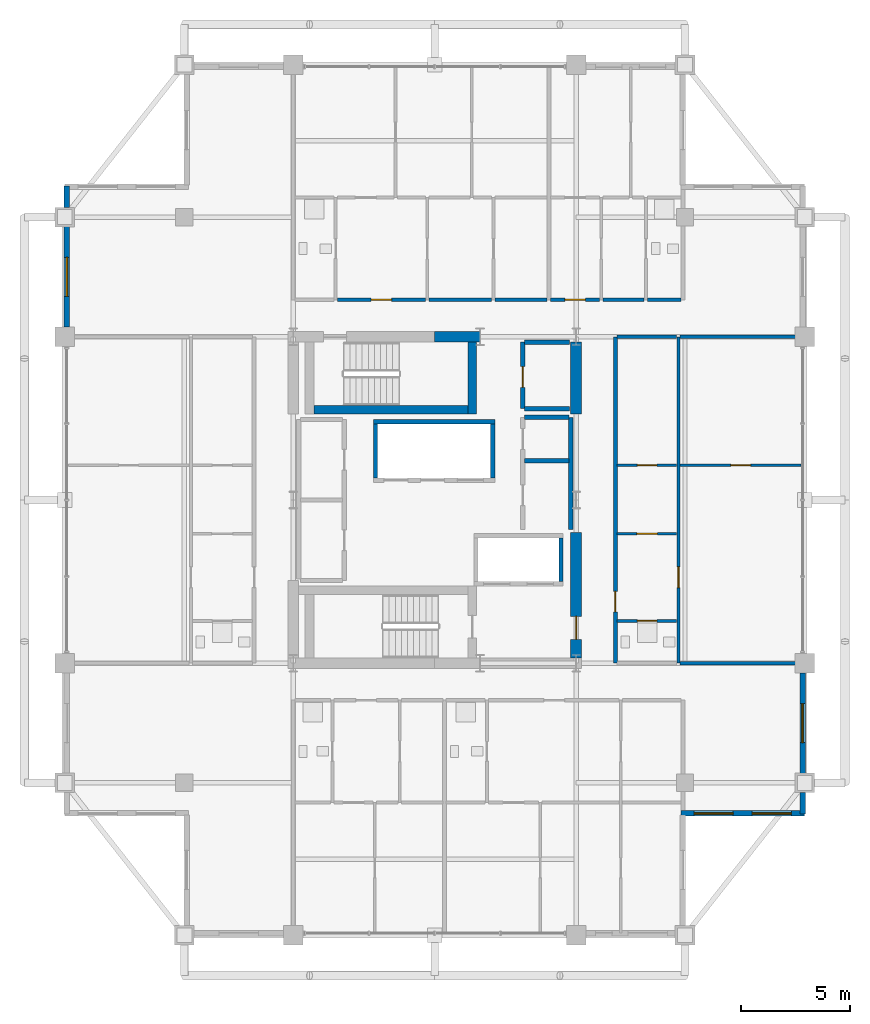
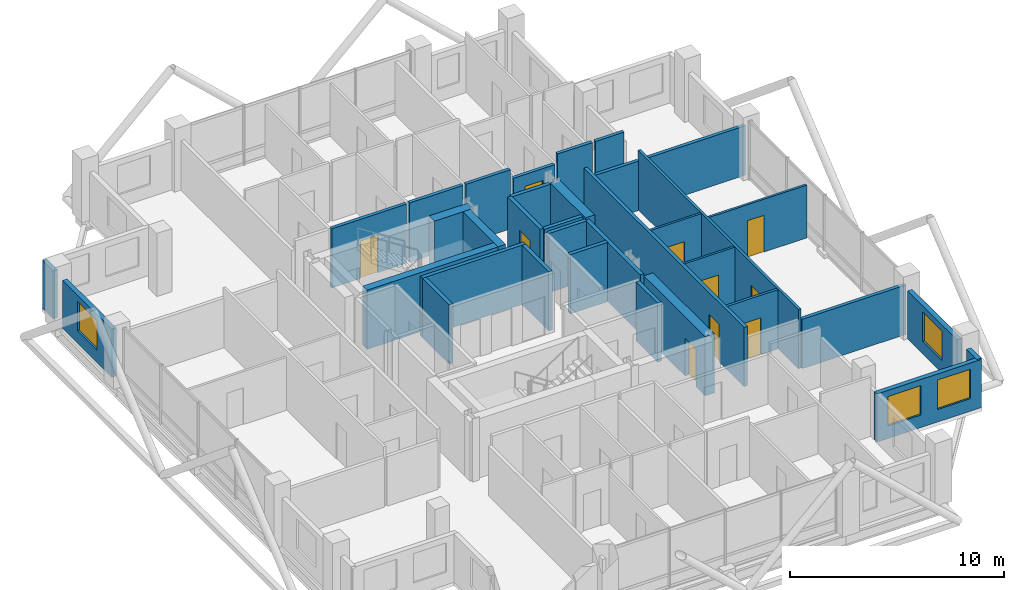
# One storey, part 21 of 25: 35 walls, 10 doors, 4 windows, 14 openings.
"""IFC4 building model written with IfcOpenShell, lengths in metres."""

from ifc_helpers import new_model, si_unit, direction, frame, frame_2d, origin, place, context, subcontext, project, spatial, rectangle, extrude, material, layer, layer_set, type_object, element, fill, save


model = new_model("IFC4")

# Units and contexts
model_context = context("Model", 3, precision=1e-05, world=origin(), true_north=direction((0.0, 1.0)))
body_context = subcontext(model_context, "Body", "Model", "MODEL_VIEW")
ifc_project = project(units=[si_unit("LENGTHUNIT", "METRE"), si_unit("AREAUNIT", "SQUARE_METRE"), si_unit("VOLUMEUNIT", "CUBIC_METRE"), si_unit("PLANEANGLEUNIT", "RADIAN"), si_unit("MASSUNIT", "GRAM", prefix="KILO")], contexts=[model_context])

# Site, building, storey
site_placement = place(None, origin())
site = spatial("IfcSite", under=ifc_project, at=site_placement, CompositionType="ELEMENT")
building_placement = place(site_placement, origin())
building = spatial("IfcBuilding", under=site, at=building_placement, Name="Barlavira Tower and Art Museum", CompositionType="ELEMENT")
storey_placement = place(building_placement, frame((0.0, 0.0, 229.5)))
storey = spatial("IfcBuildingStorey", under=building, at=storey_placement, Name="L59", CompositionType="ELEMENT", Elevation=229.5)

# Wall, opening, door
ifc_material_1 = material(Name="Gypsum acoustic stud partition", Category="gypsum")
ifc_layer_1 = layer(ifc_material_1, 0.1201171875, Name="Gypsum acoustic stud partition")
ifc_layer_set_1 = layer_set([ifc_layer_1], Name="Gypsum acoustic stud partition")
wall_type_1 = type_object("IfcWallType", Name="Apartment Internal Acoustic Partition 120", PredefinedType="PARTITIONING", material=ifc_layer_set_1)
wall_1_placement = place(storey_placement, frame((8.3798828125, -1.550048828125, 0.0), z_axis=(0.0, 0.0, 1.0), x_axis=(1.0, 0.0, 0.0)))
wall_1 = element("IfcWall", 1, at=wall_1_placement, inside=storey, type_object=wall_type_1, Name="L59 Partition Wall 52", PredefinedType="PARTITIONING", context=body_context, shape_type="SweptSolid", body=[
    extrude(rectangle(XDim=2.740234375, YDim=0.1201171875, at=frame_2d((1.3701171875, 0.0))), origin(), (0.0, 0.0, 1.0), 3.3798828125),
])
opening_1_placement = place(wall_1_placement, frame((0.905029296875, 0.0, 0.0)))
opening_1 = element("IfcOpeningElement", 2, at=opening_1_placement, cuts=wall_1, Name="Opening D-02", PredefinedType="OPENING", context=body_context, shape_type="SweptSolid", body=[
    extrude(rectangle(XDim=0.949951171875, YDim=2.10009765625, at=frame_2d((0.47509765625, 1.050048828125))), frame((0.0, 0.070068359375, 0.0), z_axis=(0.0, -1.0, 0.0), x_axis=(1.0, 0.0, 0.0)), (0.0, 0.0, 1.0), 0.14013671875),
])
ifc_material_2 = material(Name="Engineered coastal hardwood", Category="wood")
door_type_1 = type_object("IfcDoorType", Name="Living and Salon Glazed-Leaf Door 950x2100", OperationType="NOTDEFINED", PredefinedType="DOOR", material=ifc_material_2)
door_1_placement = place(opening_1_placement, origin())
door_1 = element("IfcDoor", 3, at=door_1_placement, inside=storey, type_object=door_type_1, Name="Apartment E1 Kitchen Door", OperationType="SINGLE_SWING_LEFT", OverallHeight=2.10009765625, OverallWidth=0.949951171875, PredefinedType="DOOR", context=body_context, shape_type="SweptSolid", body=[
    extrude(rectangle(XDim=0.949951171875, YDim=2.10009765625, at=frame_2d((0.47509765625, 1.050048828125))), frame((0.0, 0.02490234375, 0.0), z_axis=(0.0, -1.0, 0.0), x_axis=(1.0, 0.0, 0.0)), (0.0, 0.0, 1.0), 0.050048828125),
])
fill(opening_1, door_1)

wall_2_placement = place(storey_placement, frame((8.3798828125, 1.60009765625, 0.0), z_axis=(0.0, 0.0, 1.0), x_axis=(1.0, 0.0, 0.0)))
wall_2 = element("IfcWall", 4, at=wall_2_placement, inside=storey, type_object=wall_type_1, Name="L59 Partition Wall 56", PredefinedType="PARTITIONING", context=body_context, shape_type="SweptSolid", body=[
    extrude(rectangle(XDim=2.740234375, YDim=0.1201171875, at=frame_2d((1.3701171875, 0.0))), origin(), (0.0, 0.0, 1.0), 3.3798828125),
])
opening_2_placement = place(wall_2_placement, frame((0.929931640625, 0.0, 0.0)))
opening_2 = element("IfcOpeningElement", 5, at=opening_2_placement, cuts=wall_2, Name="Opening D-01", PredefinedType="OPENING", context=body_context, shape_type="SweptSolid", body=[
    extrude(rectangle(XDim=0.89990234375, YDim=2.10009765625, at=frame_2d((0.449951171875, 1.050048828125))), frame((0.0, 0.070068359375, 0.0), z_axis=(0.0, -1.0, 0.0), x_axis=(1.0, 0.0, 0.0)), (0.0, 0.0, 1.0), 0.14013671875),
])
door_type_2 = type_object("IfcDoorType", Name="Internal Bedroom Timber Flush Door 900x2100", OperationType="NOTDEFINED", PredefinedType="DOOR", material=ifc_material_2)
door_2_placement = place(opening_2_placement, origin())
door_2 = element("IfcDoor", 6, at=door_2_placement, inside=storey, type_object=door_type_2, Name="Apartment E1 Walk-In Dressing Room Door", OperationType="SINGLE_SWING_RIGHT", OverallHeight=2.10009765625, OverallWidth=0.89990234375, PredefinedType="DOOR", context=body_context, shape_type="SweptSolid", body=[
    extrude(rectangle(XDim=0.89990234375, YDim=2.10009765625, at=frame_2d((0.449951171875, 1.050048828125))), frame((0.0, 0.02490234375, 0.0), z_axis=(0.0, -1.0, 0.0), x_axis=(1.0, 0.0, 0.0)), (0.0, 0.0, 1.0), 0.050048828125),
])
fill(opening_2, door_2)

wall_3_placement = place(storey_placement, frame((11.280029296875, 1.60009765625, 0.0), z_axis=(0.0, 0.0, 1.0), x_axis=(1.0, 0.0, 0.0)))
wall_3 = element("IfcWall", 7, at=wall_3_placement, inside=storey, type_object=wall_type_1, Name="L59 Partition Wall 57", PredefinedType="PARTITIONING", context=body_context, shape_type="SweptSolid", body=[
    extrude(rectangle(XDim=5.5400390625, YDim=0.1201171875, at=frame_2d((2.77001953125, 0.0))), origin(), (0.0, 0.0, 1.0), 3.01806640625),
])
opening_3_placement = place(wall_3_placement, frame((2.330078125, 0.0, 0.0)))
opening_3 = element("IfcOpeningElement", 8, at=opening_3_placement, cuts=wall_3, Name="Opening D-01", PredefinedType="OPENING", context=body_context, shape_type="SweptSolid", body=[
    extrude(rectangle(XDim=0.89990234375, YDim=2.10009765625, at=frame_2d((0.449951171875, 1.050048828125))), frame((0.0, 0.070068359375, 0.0), z_axis=(0.0, -1.0, 0.0), x_axis=(1.0, 0.0, 0.0)), (0.0, 0.0, 1.0), 0.14013671875),
])
door_3_placement = place(opening_3_placement, origin())
door_3 = element("IfcDoor", 9, at=door_3_placement, inside=storey, type_object=door_type_2, Name="Apartment E1 Bedroom 1 Door", OperationType="SINGLE_SWING_RIGHT", OverallHeight=2.10009765625, OverallWidth=0.89990234375, PredefinedType="DOOR", context=body_context, shape_type="SweptSolid", body=[
    extrude(rectangle(XDim=0.89990234375, YDim=2.10009765625, at=frame_2d((0.449951171875, 1.050048828125))), frame((0.0, 0.02490234375, 0.0), z_axis=(0.0, -1.0, 0.0), x_axis=(1.0, 0.0, 0.0)), (0.0, 0.0, 1.0), 0.050048828125),
])
fill(opening_3, door_3)

# Wall
ifc_material_3 = material(Name="Concrete C60", Category="concrete")
ifc_layer_2 = layer(ifc_material_3, 0.5, Name="Concrete C60")
ifc_layer_set_2 = layer_set([ifc_layer_2], Name="Concrete C60")
wall_type_2 = type_object("IfcWallType", Name="Core Structural Shear Wall 500 Concrete C60", PredefinedType="SHEAR", material=ifc_layer_set_2)
wall_4_placement = place(storey_placement, frame((0.0, 7.5, 0.0), z_axis=(0.0, 0.0, 1.0), x_axis=(1.0, 0.0, 0.0)))
element("IfcWall", 10, at=wall_4_placement, inside=storey, type_object=wall_type_2, Name="L59 Core Shear Wall CS-EN", PredefinedType="SHEAR", context=body_context, shape_type="SweptSolid", body=[
    extrude(rectangle(XDim=2.080078125, YDim=0.5, at=frame_2d((1.0400390625, 0.0))), origin(), (0.0, 0.0, 1.0), 3.3798828125),
])

# Wall, opening, door
wall_5_placement = place(storey_placement, frame((6.5, -7.25, 0.0), z_axis=(0.0, 0.0, 1.0), x_axis=(0.0, 1.0, 0.0)))
wall_5 = element("IfcWall", 11, at=wall_5_placement, inside=storey, type_object=wall_type_2, Name="L59 Core Shear Wall CS-E1", PredefinedType="SHEAR", context=body_context, shape_type="SweptSolid", body=[
    extrude(rectangle(XDim=5.75, YDim=0.5, at=frame_2d((2.875, 0.0))), origin(), (0.0, 0.0, 1.0), 3.3798828125),
])
opening_4_placement = place(wall_5_placement, frame((0.85009765625, 0.0, 0.0)))
opening_4 = element("IfcOpeningElement", 12, at=opening_4_placement, cuts=wall_5, Name="Opening FD-90", PredefinedType="OPENING", context=body_context, shape_type="SweptSolid", body=[
    extrude(rectangle(XDim=1.050048828125, YDim=2.14990234375, at=frame_2d((0.52490234375, 1.074951171875))), frame((0.0, 0.260009765625, 0.0), z_axis=(0.0, -1.0, 0.0), x_axis=(1.0, 0.0, 0.0)), (0.0, 0.0, 1.0), 0.52001953125),
])
ifc_material_4 = material(Name="Brushed stainless steel", Category="steel")
door_type_3 = type_object("IfcDoorType", Name="Stair and Refuge Fire Door 1050x2150 FD90S", OperationType="NOTDEFINED", PredefinedType="DOOR", material=ifc_material_4)
door_4_placement = place(opening_4_placement, origin())
door_4 = element("IfcDoor", 13, at=door_4_placement, inside=storey, type_object=door_type_3, Name="L59 Firefighting Lobby Entry Fire Door", OperationType="SINGLE_SWING_LEFT", OverallHeight=2.14990234375, OverallWidth=1.050048828125, PredefinedType="DOOR", context=body_context, shape_type="SweptSolid", body=[
    extrude(rectangle(XDim=1.050048828125, YDim=2.14990234375, at=frame_2d((0.52490234375, 1.074951171875))), frame((0.0, 0.02490234375, 0.0), z_axis=(0.0, -1.0, 0.0), x_axis=(1.0, 0.0, 0.0)), (0.0, 0.0, 1.0), 0.050048828125),
])
fill(opening_4, door_4)

# Walls
wall_6_placement = place(storey_placement, frame((6.5, 3.949951171875, 0.0), z_axis=(0.0, 0.0, 1.0), x_axis=(0.0, 1.0, 0.0)))
element("IfcWall", 14, at=wall_6_placement, inside=storey, type_object=wall_type_2, Name="L59 Core Shear Wall CS-E2", PredefinedType="SHEAR", context=body_context, shape_type="SweptSolid", body=[
    extrude(rectangle(XDim=3.300048828125, YDim=0.5, at=frame_2d((1.64990234375, 0.0))), origin(), (0.0, 0.0, 1.0), 3.3798828125),
])
ifc_material_5 = material(Name="Autoclaved aerated concrete masonry", Category="masonry")
ifc_layer_3 = layer(ifc_material_5, 0.199951171875, Name="Autoclaved aerated concrete masonry")
ifc_layer_set_3 = layer_set([ifc_layer_3], Name="Autoclaved aerated concrete masonry")
wall_type_3 = type_object("IfcWallType", Name="Fire Compartment and Shaft Wall 200", PredefinedType="SOLIDWALL", material=ifc_layer_set_3)
wall_7_placement = place(storey_placement, frame((-2.820068359375, 3.60009765625, 0.0), z_axis=(0.0, 0.0, 1.0), x_axis=(1.0, 0.0, 0.0)))
element("IfcWall", 15, at=wall_7_placement, inside=storey, type_object=wall_type_3, Name="L59 High-Rise & Service Lift Back Wall", PredefinedType="SOLIDWALL", context=body_context, shape_type="SweptSolid", body=[
    extrude(rectangle(XDim=5.580078125, YDim=0.199951171875, at=frame_2d((2.7900390625, 0.0))), origin(), (0.0, 0.0, 1.0), 3.3798828125),
])
for number, where, z_axis, x_axis, name in (
    (16, (-2.719970703125, 1.0, 0.0), (0.0, 0.0, 1.0), (0.0, 1.0, 0.0), "L59 High-Rise & Service Lift West Wall"),
    (17, (2.659912109375, 1.0, 0.0), (0.0, 0.0, 1.0), (0.0, 1.0, 0.0), "L59 High-Rise & Service Lift East Wall"),
):
    element("IfcWall", number, at=place(storey_placement, frame(where, z_axis=z_axis, x_axis=x_axis)), inside=storey, type_object=wall_type_3, Name=name, PredefinedType="SOLIDWALL", context=body_context, shape_type="SweptSolid", body=[
        extrude(rectangle(XDim=2.5, YDim=0.199951171875, at=frame_2d((1.25, 0.0))), origin(), (0.0, 0.0, 1.0), 3.3798828125),
    ])
wall_8_placement = place(storey_placement, frame((5.800048828125, -3.75, 0.0), z_axis=(0.0, 0.0, 1.0), x_axis=(0.0, 1.0, 0.0)))
element("IfcWall", 18, at=wall_8_placement, inside=storey, type_object=wall_type_3, Name="L59 Firefighting Lift East Shaft Wall", PredefinedType="SOLIDWALL", context=body_context, shape_type="SweptSolid", body=[
    extrude(rectangle(XDim=2.0, YDim=0.199951171875, at=frame_2d((1.0, 0.0))), origin(), (0.0, 0.0, 1.0), 3.3798828125),
])

# Wall, opening, door
wall_9_placement = place(storey_placement, frame((4.050048828125, 4.199951171875, 0.0), z_axis=(0.0, 0.0, 1.0), x_axis=(0.0, 1.0, 0.0)))
wall_9 = element("IfcWall", 19, at=wall_9_placement, inside=storey, type_object=wall_type_3, Name="L59 Partition Wall 18", PredefinedType="SOLIDWALL", context=body_context, shape_type="SweptSolid", body=[
    extrude(rectangle(XDim=3.050048828125, YDim=0.199951171875, at=frame_2d((1.52490234375, 0.0))), origin(), (0.0, 0.0, 1.0), 3.3798828125),
])
opening_5_placement = place(wall_9_placement, frame((0.97509765625, 0.0, 0.0)))
opening_5 = element("IfcOpeningElement", 20, at=opening_5_placement, cuts=wall_9, Name="Opening FD-60", PredefinedType="OPENING", context=body_context, shape_type="SweptSolid", body=[
    extrude(rectangle(XDim=0.949951171875, YDim=2.14990234375, at=frame_2d((0.47509765625, 1.074951171875))), frame((0.0, 0.10986328125, 0.0), z_axis=(0.0, -1.0, 0.0), x_axis=(1.0, 0.0, 0.0)), (0.0, 0.0, 1.0), 0.219970703125),
])
door_type_4 = type_object("IfcDoorType", Name="Apartment Entrance and Riser Fire Door 950x2150 FD60S", OperationType="NOTDEFINED", PredefinedType="DOOR", material=ifc_material_4)
door_5_placement = place(opening_5_placement, origin())
door_5 = element("IfcDoor", 21, at=door_5_placement, inside=storey, type_object=door_type_4, Name="Combined Electrical and Telecom Plant Room Door", OperationType="SINGLE_SWING_LEFT", OverallHeight=2.14990234375, OverallWidth=0.949951171875, PredefinedType="DOOR", context=body_context, shape_type="SweptSolid", body=[
    extrude(rectangle(XDim=0.949951171875, YDim=2.14990234375, at=frame_2d((0.47509765625, 1.074951171875))), frame((0.0, 0.02490234375, 0.0), z_axis=(0.0, -1.0, 0.0), x_axis=(1.0, 0.0, 0.0)), (0.0, 0.0, 1.0), 0.050048828125),
])
fill(opening_5, door_5)

# Walls
wall_10_placement = place(storey_placement, frame((6.25, -1.35009765625, 0.0), z_axis=(0.0, 0.0, 1.0), x_axis=(0.0, 1.0, 0.0)))
element("IfcWall", 22, at=wall_10_placement, inside=storey, type_object=wall_type_3, Name="L59 Partition Wall 21", PredefinedType="SOLIDWALL", context=body_context, shape_type="SweptSolid", body=[
    extrude(rectangle(XDim=5.150146484375, YDim=0.199951171875, at=frame_2d((2.5751953125, 0.0))), origin(), (0.0, 0.0, 1.0), 3.3798828125),
])
for number, where, z_axis, x_axis, name in (
    (23, (4.1298828125, 1.800048828125, 0.0), (0.0, 0.0, 1.0), (1.0, 0.0, 0.0), "L59 Partition Wall 58"),
    (24, (4.1298828125, 3.800048828125, 0.0), (0.0, 0.0, 1.0), (1.0, 0.0, 0.0), "L59 Partition Wall 60"),
):
    element("IfcWall", number, at=place(storey_placement, frame(where, z_axis=z_axis, x_axis=x_axis)), inside=storey, type_object=wall_type_3, Name=name, PredefinedType="SOLIDWALL", context=body_context, shape_type="SweptSolid", body=[
        extrude(rectangle(XDim=2.0400390625, YDim=0.199951171875, at=frame_2d((1.02001953125, 0.0))), origin(), (0.0, 0.0, 1.0), 3.3798828125),
    ])
for number, where, z_axis, x_axis, name in (
    (25, (4.1298828125, 4.199951171875, 0.0), (0.0, 0.0, 1.0), (1.0, 0.0, 0.0), "L59 Partition Wall 61"),
    (26, (4.1298828125, 7.25, 0.0), (0.0, 0.0, 1.0), (1.0, 0.0, 0.0), "L59 Partition Wall 62"),
):
    element("IfcWall", number, at=place(storey_placement, frame(where, z_axis=z_axis, x_axis=x_axis)), inside=storey, type_object=wall_type_3, Name=name, PredefinedType="SOLIDWALL", context=body_context, shape_type="SweptSolid", body=[
        extrude(rectangle(XDim=2.070068359375, YDim=0.199951171875, at=frame_2d((1.03515625, 0.0))), origin(), (0.0, 0.0, 1.0), 3.3798828125),
    ])

# Wall, opening, door
ifc_layer_4 = layer(ifc_material_1, 0.179931640625, Name="Gypsum acoustic stud partition")
ifc_layer_set_4 = layer_set([ifc_layer_4], Name="Gypsum acoustic stud partition")
wall_type_4 = type_object("IfcWallType", Name="Inter-Tenancy Party Partition Wall 180", PredefinedType="PARTITIONING", material=ifc_layer_set_4)
wall_11_placement = place(storey_placement, frame((8.300048828125, -7.5, 0.0), z_axis=(0.0, 0.0, 1.0), x_axis=(0.0, 1.0, 0.0)))
wall_11 = element("IfcWall", 27, at=wall_11_placement, inside=storey, type_object=wall_type_4, Name="L59 Partition Wall 23", PredefinedType="PARTITIONING", context=body_context, shape_type="SweptSolid", body=[
    extrude(rectangle(XDim=15.0, YDim=0.179931640625, at=frame_2d((7.5, 0.0))), origin(), (0.0, 0.0, 1.0), 3.3798828125),
])
opening_6_placement = place(wall_11_placement, frame((2.35498046875, 0.0, 0.0)))
opening_6 = element("IfcOpeningElement", 28, at=opening_6_placement, cuts=wall_11, Name="Opening FD-60", PredefinedType="OPENING", context=body_context, shape_type="SweptSolid", body=[
    extrude(rectangle(XDim=0.949951171875, YDim=2.14990234375, at=frame_2d((0.47509765625, 1.074951171875))), frame((0.0, 0.10009765625, 0.0), z_axis=(0.0, -1.0, 0.0), x_axis=(1.0, 0.0, 0.0)), (0.0, 0.0, 1.0), 0.199951171875),
])
door_6_placement = place(opening_6_placement, origin())
door_6 = element("IfcDoor", 29, at=door_6_placement, inside=storey, type_object=door_type_4, Name="Apartment Entrance Hall E1 Door", OperationType="SINGLE_SWING_RIGHT", OverallHeight=2.14990234375, OverallWidth=0.949951171875, PredefinedType="DOOR", context=body_context, shape_type="SweptSolid", body=[
    extrude(rectangle(XDim=0.949951171875, YDim=2.14990234375, at=frame_2d((0.47509765625, 1.074951171875))), frame((0.0, 0.02490234375, 0.0), z_axis=(0.0, -1.0, 0.0), x_axis=(1.0, 0.0, 0.0)), (0.0, 0.0, 1.0), 0.050048828125),
])
fill(opening_6, door_6)

# Walls
wall_12_placement = place(storey_placement, frame((11.280029296875, -7.5, 0.0), z_axis=(0.0, 0.0, 1.0), x_axis=(1.0, 0.0, 0.0)))
element("IfcWall", 30, at=wall_12_placement, inside=storey, type_object=wall_type_4, Name="L59 Partition Wall 47", PredefinedType="PARTITIONING", context=body_context, shape_type="SweptSolid", body=[
    extrude(rectangle(XDim=5.619873046875, YDim=0.179931640625, at=frame_2d((2.81005859375, 0.0))), origin(), (0.0, 0.0, 1.0), 2.825927734375),
])
wall_13_placement = place(storey_placement, frame((8.3798828125, 7.5, 0.0), z_axis=(0.0, 0.0, 1.0), x_axis=(1.0, 0.0, 0.0)))
element("IfcWall", 31, at=wall_13_placement, inside=storey, type_object=wall_type_4, Name="L59 Partition Wall 65", PredefinedType="PARTITIONING", context=body_context, shape_type="SweptSolid", body=[
    extrude(rectangle(XDim=2.740234375, YDim=0.179931640625, at=frame_2d((1.3701171875, 0.0))), origin(), (0.0, 0.0, 1.0), 2.825927734375),
])
wall_14_placement = place(storey_placement, frame((11.280029296875, 7.5, 0.0), z_axis=(0.0, 0.0, 1.0), x_axis=(1.0, 0.0, 0.0)))
element("IfcWall", 32, at=wall_14_placement, inside=storey, type_object=wall_type_4, Name="L59 Partition Wall 66", PredefinedType="PARTITIONING", context=body_context, shape_type="SweptSolid", body=[
    extrude(rectangle(XDim=5.619873046875, YDim=0.179931640625, at=frame_2d((2.81005859375, 0.0))), origin(), (0.0, 0.0, 1.0), 2.825927734375),
])

# Wall, opening, door
wall_15_placement = place(storey_placement, frame((-4.469970703125, 9.199951171875, 0.0), z_axis=(0.0, 0.0, 1.0), x_axis=(1.0, 0.0, 0.0)))
wall_15 = element("IfcWall", 33, at=wall_15_placement, inside=storey, type_object=wall_type_4, Name="L59 Partition Wall 68", PredefinedType="PARTITIONING", context=body_context, shape_type="SweptSolid", body=[
    extrude(rectangle(XDim=4.0400390625, YDim=0.179931640625, at=frame_2d((2.02001953125, 0.0))), origin(), (0.0, 0.0, 1.0), 3.3798828125),
])
opening_7_placement = place(wall_15_placement, frame((1.544921875, 0.0, 0.0)))
opening_7 = element("IfcOpeningElement", 34, at=opening_7_placement, cuts=wall_15, Name="Opening FD-60", PredefinedType="OPENING", context=body_context, shape_type="SweptSolid", body=[
    extrude(rectangle(XDim=0.949951171875, YDim=2.14990234375, at=frame_2d((0.47509765625, 1.074951171875))), frame((0.0, 0.10009765625, 0.0), z_axis=(0.0, -1.0, 0.0), x_axis=(1.0, 0.0, 0.0)), (0.0, 0.0, 1.0), 0.199951171875),
])
door_7_placement = place(opening_7_placement, origin())
door_7 = element("IfcDoor", 35, at=door_7_placement, inside=storey, type_object=door_type_4, Name="Apartment Entrance Hall N1 Door", OperationType="SINGLE_SWING_RIGHT", OverallHeight=2.14990234375, OverallWidth=0.949951171875, PredefinedType="DOOR", context=body_context, shape_type="SweptSolid", body=[
    extrude(rectangle(XDim=0.949951171875, YDim=2.14990234375, at=frame_2d((0.47509765625, 1.074951171875))), frame((0.0, 0.02490234375, 0.0), z_axis=(0.0, -1.0, 0.0), x_axis=(1.0, 0.0, 0.0)), (0.0, 0.0, 1.0), 0.050048828125),
])
fill(opening_7, door_7)

# Walls
wall_16_placement = place(storey_placement, frame((-0.27001953125, 9.199951171875, 0.0), z_axis=(0.0, 0.0, 1.0), x_axis=(1.0, 0.0, 0.0)))
element("IfcWall", 36, at=wall_16_placement, inside=storey, type_object=wall_type_4, Name="L59 Partition Wall 69", PredefinedType="PARTITIONING", context=body_context, shape_type="SweptSolid", body=[
    extrude(rectangle(XDim=2.89013671875, YDim=0.179931640625, at=frame_2d((1.445068359375, 0.0))), origin(), (0.0, 0.0, 1.0), 3.3798828125),
])
wall_17_placement = place(storey_placement, frame((2.780029296875, 9.199951171875, 0.0), z_axis=(0.0, 0.0, 1.0), x_axis=(1.0, 0.0, 0.0)))
element("IfcWall", 37, at=wall_17_placement, inside=storey, type_object=wall_type_4, Name="L59 Partition Wall 70", PredefinedType="PARTITIONING", context=body_context, shape_type="SweptSolid", body=[
    extrude(rectangle(XDim=2.389892578125, YDim=0.179931640625, at=frame_2d((1.19482421875, 0.0))), origin(), (0.0, 0.0, 1.0), 3.3798828125),
])

# Wall, opening, door
wall_18_placement = place(storey_placement, frame((5.330078125, 9.199951171875, 0.0), z_axis=(0.0, 0.0, 1.0), x_axis=(1.0, 0.0, 0.0)))
wall_18 = element("IfcWall", 38, at=wall_18_placement, inside=storey, type_object=wall_type_4, Name="L59 Partition Wall 71", PredefinedType="PARTITIONING", context=body_context, shape_type="SweptSolid", body=[
    extrude(rectangle(XDim=2.239990234375, YDim=0.179931640625, at=frame_2d((1.1201171875, 0.0))), origin(), (0.0, 0.0, 1.0), 2.825927734375),
])
opening_8_placement = place(wall_18_placement, frame((0.64501953125, 0.0, 0.0)))
opening_8 = element("IfcOpeningElement", 39, at=opening_8_placement, cuts=wall_18, Name="Opening FD-60", PredefinedType="OPENING", context=body_context, shape_type="SweptSolid", body=[
    extrude(rectangle(XDim=0.949951171875, YDim=2.14990234375, at=frame_2d((0.47509765625, 1.074951171875))), frame((0.0, 0.10009765625, 0.0), z_axis=(0.0, -1.0, 0.0), x_axis=(1.0, 0.0, 0.0)), (0.0, 0.0, 1.0), 0.199951171875),
])
door_8_placement = place(opening_8_placement, origin())
door_8 = element("IfcDoor", 40, at=door_8_placement, inside=storey, type_object=door_type_4, Name="Apartment Entrance Hall N2 Door", OperationType="SINGLE_SWING_RIGHT", OverallHeight=2.14990234375, OverallWidth=0.949951171875, PredefinedType="DOOR", context=body_context, shape_type="SweptSolid", body=[
    extrude(rectangle(XDim=0.949951171875, YDim=2.14990234375, at=frame_2d((0.47509765625, 1.074951171875))), frame((0.0, 0.02490234375, 0.0), z_axis=(0.0, -1.0, 0.0), x_axis=(1.0, 0.0, 0.0)), (0.0, 0.0, 1.0), 0.050048828125),
])
fill(opening_8, door_8)

# Walls
wall_19_placement = place(storey_placement, frame((7.72998046875, 9.199951171875, 0.0), z_axis=(0.0, 0.0, 1.0), x_axis=(1.0, 0.0, 0.0)))
element("IfcWall", 41, at=wall_19_placement, inside=storey, type_object=wall_type_4, Name="L59 Partition Wall 72", PredefinedType="PARTITIONING", context=body_context, shape_type="SweptSolid", body=[
    extrude(rectangle(XDim=1.89013671875, YDim=0.179931640625, at=frame_2d((0.945068359375, 0.0))), origin(), (0.0, 0.0, 1.0), 3.3798828125),
])
wall_20_placement = place(storey_placement, frame((9.780029296875, 9.199951171875, 0.0), z_axis=(0.0, 0.0, 1.0), x_axis=(1.0, 0.0, 0.0)))
element("IfcWall", 42, at=wall_20_placement, inside=storey, type_object=wall_type_4, Name="L59 Partition Wall 73", PredefinedType="PARTITIONING", context=body_context, shape_type="SweptSolid", body=[
    extrude(rectangle(XDim=1.5400390625, YDim=0.179931640625, at=frame_2d((0.77001953125, 0.0))), origin(), (0.0, 0.0, 1.0), 3.3798828125),
])

# Wall, opening, door
ifc_layer_5 = layer(ifc_material_1, 0.139892578125, Name="Gypsum acoustic stud partition")
ifc_layer_set_5 = layer_set([ifc_layer_5], Name="Gypsum acoustic stud partition")
wall_type_5 = type_object("IfcWallType", Name="Moisture-Resistant Bathroom Partition 140", PredefinedType="PARTITIONING", material=ifc_layer_set_5)
wall_21_placement = place(storey_placement, frame((11.199951171875, -7.5, 0.0), z_axis=(0.0, 0.0, 1.0), x_axis=(0.0, 1.0, 0.0)))
wall_21 = element("IfcWall", 43, at=wall_21_placement, inside=storey, type_object=wall_type_5, Name="L59 Partition Wall 27", PredefinedType="PARTITIONING", context=body_context, shape_type="SweptSolid", body=[
    extrude(rectangle(XDim=15.0, YDim=0.139892578125, at=frame_2d((7.5, 0.0))), origin(), (0.0, 0.0, 1.0), 3.3798828125),
])
opening_9_placement = place(wall_21_placement, frame((3.47509765625, 0.0, 0.0)))
opening_9 = element("IfcOpeningElement", 44, at=opening_9_placement, cuts=wall_21, Name="Opening D-02", PredefinedType="OPENING", context=body_context, shape_type="SweptSolid", body=[
    extrude(rectangle(XDim=0.949951171875, YDim=2.10009765625, at=frame_2d((0.47509765625, 1.050048828125))), frame((0.0, 0.080078125, 0.0), z_axis=(0.0, -1.0, 0.0), x_axis=(1.0, 0.0, 0.0)), (0.0, 0.0, 1.0), 0.159912109375),
])
door_9_placement = place(opening_9_placement, origin())
door_9 = element("IfcDoor", 45, at=door_9_placement, inside=storey, type_object=door_type_1, Name="Apartment E1 Living Lounge Door", OperationType="SINGLE_SWING_LEFT", OverallHeight=2.10009765625, OverallWidth=0.949951171875, PredefinedType="DOOR", context=body_context, shape_type="SweptSolid", body=[
    extrude(rectangle(XDim=0.949951171875, YDim=2.10009765625, at=frame_2d((0.47509765625, 1.050048828125))), frame((0.0, 0.02490234375, 0.0), z_axis=(0.0, -1.0, 0.0), x_axis=(1.0, 0.0, 0.0)), (0.0, 0.0, 1.0), 0.050048828125),
])
fill(opening_9, door_9)

wall_22_placement = place(storey_placement, frame((8.3798828125, -5.550048828125, 0.0), z_axis=(0.0, 0.0, 1.0), x_axis=(1.0, 0.0, 0.0)))
wall_22 = element("IfcWall", 46, at=wall_22_placement, inside=storey, type_object=wall_type_5, Name="L59 Partition Wall 49", PredefinedType="PARTITIONING", context=body_context, shape_type="SweptSolid", body=[
    extrude(rectangle(XDim=2.740234375, YDim=0.139892578125, at=frame_2d((1.3701171875, 0.0))), origin(), (0.0, 0.0, 1.0), 3.3798828125),
])
opening_10_placement = place(wall_22_placement, frame((0.929931640625, 0.0, 0.0)))
opening_10 = element("IfcOpeningElement", 47, at=opening_10_placement, cuts=wall_22, Name="Opening D-WC", PredefinedType="OPENING", context=body_context, shape_type="SweptSolid", body=[
    extrude(rectangle(XDim=0.89990234375, YDim=2.10009765625, at=frame_2d((0.449951171875, 1.050048828125))), frame((0.0, 0.080078125, 0.0), z_axis=(0.0, -1.0, 0.0), x_axis=(1.0, 0.0, 0.0)), (0.0, 0.0, 1.0), 0.159912109375),
])
door_type_5 = type_object("IfcDoorType", Name="Accessible Bathroom Flush Door 900x2100", OperationType="NOTDEFINED", PredefinedType="DOOR", material=ifc_material_2)
door_10_placement = place(opening_10_placement, origin())
door_10 = element("IfcDoor", 48, at=door_10_placement, inside=storey, type_object=door_type_5, Name="Apartment E1 Hall Bathroom Door", OperationType="SINGLE_SWING_LEFT", OverallHeight=2.10009765625, OverallWidth=0.89990234375, PredefinedType="DOOR", context=body_context, shape_type="SweptSolid", body=[
    extrude(rectangle(XDim=0.89990234375, YDim=2.10009765625, at=frame_2d((0.449951171875, 1.050048828125))), frame((0.0, 0.02490234375, 0.0), z_axis=(0.0, -1.0, 0.0), x_axis=(1.0, 0.0, 0.0)), (0.0, 0.0, 1.0), 0.050048828125),
])
fill(opening_10, door_10)

# Wall
ifc_material_6 = material(Name="Precast concrete C40", Category="concrete")
ifc_layer_6 = layer(ifc_material_6, 0.25, Name="Precast concrete C40")
ifc_layer_set_6 = layer_set([ifc_layer_6], Name="Precast concrete C40")
wall_type_6 = type_object("IfcWallType", Name="Notched Corner Spandrel Wall 250 Precast Concrete C40", PredefinedType="SOLIDWALL", material=ifc_layer_set_6)
wall_23_placement = place(storey_placement, frame((-16.89990234375, 14.425048828125, 0.0), z_axis=(0.0, 0.0, 1.0), x_axis=(0.0, -1.0, 0.0)))
element("IfcWall", 49, at=wall_23_placement, inside=storey, type_object=wall_type_6, Name="L59 Coastal Facade Pier Wall CW4-L59-W-1", PredefinedType="SOLIDWALL", context=body_context, shape_type="SweptSolid", body=[
    extrude(rectangle(XDim=0.97998046875, YDim=0.25, at=frame_2d((0.489990234375, 0.0))), origin(), (0.0, 0.0, 1.0), 2.748046875),
])

# Wall, opening, window
wall_24_placement = place(storey_placement, frame((-16.89990234375, 12.554931640625, 0.0), z_axis=(0.0, 0.0, 1.0), x_axis=(0.0, -1.0, 0.0)))
wall_24 = element("IfcWall", 50, at=wall_24_placement, inside=storey, type_object=wall_type_6, Name="L59 Coastal Facade Pier Wall CW4-L59-W-2", PredefinedType="SOLIDWALL", context=body_context, shape_type="SweptSolid", body=[
    extrude(rectangle(XDim=4.60986328125, YDim=0.25, at=frame_2d((2.304931640625, 0.0))), origin(), (0.0, 0.0, 1.0), 2.748046875),
])
opening_11_placement = place(wall_24_placement, frame((1.405029296875, 0.0, 0.719970703125)))
opening_11 = element("IfcOpeningElement", 51, at=opening_11_placement, cuts=wall_24, Name="Opening WN-01", PredefinedType="OPENING", context=body_context, shape_type="SweptSolid", body=[
    extrude(rectangle(XDim=1.800048828125, YDim=1.679931640625, at=frame_2d((0.89990234375, 0.83984375))), frame((0.0, 0.135009765625, 0.0), z_axis=(0.0, -1.0, 0.0), x_axis=(1.0, 0.0, 0.0)), (0.0, 0.0, 1.0), 0.27001953125),
])
ifc_material_7 = material(Name="Low-iron coastal laminated glass", Category="glass")
window_type = type_object("IfcWindowType", Name="Recessed Notch Corner Punch Window 1800x1680", PartitioningType="SINGLE_PANEL", PredefinedType="WINDOW", material=ifc_material_7)
window_1_placement = place(opening_11_placement, origin())
window_1 = element("IfcWindow", 52, at=window_1_placement, inside=storey, type_object=window_type, Name="L59 Punched Facade Window EWP-CW4-L59-W-2-1", OverallHeight=1.679931640625, OverallWidth=1.800048828125, PartitioningType="SINGLE_PANEL", PredefinedType="WINDOW", context=body_context, shape_type="SweptSolid", body=[
    extrude(rectangle(XDim=1.800048828125, YDim=1.679931640625, at=frame_2d((0.89990234375, 0.83984375))), frame((0.0, 0.030029296875, 0.0), z_axis=(0.0, -1.0, 0.0), x_axis=(1.0, 0.0, 0.0)), (0.0, 0.0, 1.0), 0.06005859375),
])
fill(opening_11, window_1)

# Wall
wall_25_placement = place(storey_placement, frame((16.89990234375, -14.425048828125, 0.0), z_axis=(0.0, 0.0, 1.0), x_axis=(0.0, 1.0, 0.0)))
element("IfcWall", 53, at=wall_25_placement, inside=storey, type_object=wall_type_6, Name="L59 Coastal Facade Pier Wall CW4-L59-E-1", PredefinedType="SOLIDWALL", context=body_context, shape_type="SweptSolid", body=[
    extrude(rectangle(XDim=0.97998046875, YDim=0.25, at=frame_2d((0.489990234375, 0.0))), origin(), (0.0, 0.0, 1.0), 2.748046875),
])

# Wall, opening, window
wall_26_placement = place(storey_placement, frame((16.89990234375, -12.554931640625, 0.0), z_axis=(0.0, 0.0, 1.0), x_axis=(0.0, 1.0, 0.0)))
wall_26 = element("IfcWall", 54, at=wall_26_placement, inside=storey, type_object=wall_type_6, Name="L59 Coastal Facade Pier Wall CW4-L59-E-2", PredefinedType="SOLIDWALL", context=body_context, shape_type="SweptSolid", body=[
    extrude(rectangle(XDim=4.60986328125, YDim=0.25, at=frame_2d((2.304931640625, 0.0))), origin(), (0.0, 0.0, 1.0), 2.748046875),
])
opening_12_placement = place(wall_26_placement, frame((1.405029296875, 0.0, 0.719970703125)))
opening_12 = element("IfcOpeningElement", 55, at=opening_12_placement, cuts=wall_26, Name="Opening WN-01", PredefinedType="OPENING", context=body_context, shape_type="SweptSolid", body=[
    extrude(rectangle(XDim=1.800048828125, YDim=1.679931640625, at=frame_2d((0.89990234375, 0.83984375))), frame((0.0, 0.135009765625, 0.0), z_axis=(0.0, -1.0, 0.0), x_axis=(1.0, 0.0, 0.0)), (0.0, 0.0, 1.0), 0.27001953125),
])
window_2_placement = place(opening_12_placement, origin())
window_2 = element("IfcWindow", 56, at=window_2_placement, inside=storey, type_object=window_type, Name="L59 Punched Facade Window EWP-CW4-L59-E-2-1", OverallHeight=1.679931640625, OverallWidth=1.800048828125, PartitioningType="SINGLE_PANEL", PredefinedType="WINDOW", context=body_context, shape_type="SweptSolid", body=[
    extrude(rectangle(XDim=1.800048828125, YDim=1.679931640625, at=frame_2d((0.89990234375, 0.83984375))), frame((0.0, 0.030029296875, 0.0), z_axis=(0.0, -1.0, 0.0), x_axis=(1.0, 0.0, 0.0)), (0.0, 0.0, 1.0), 0.06005859375),
])
fill(opening_12, window_2)

# Wall, openings, windows
wall_27_placement = place(storey_placement, frame((11.320068359375, -14.39990234375, 0.0), z_axis=(0.0, 0.0, 1.0), x_axis=(1.0, 0.0, 0.0)))
wall_27 = element("IfcWall", 57, at=wall_27_placement, inside=storey, type_object=wall_type_6, Name="L59 Notch Corner Wall SE2", PredefinedType="SOLIDWALL", context=body_context, shape_type="SweptSolid", body=[
    extrude(rectangle(XDim=5.659912109375, YDim=0.25, at=frame_2d((2.830078125, 0.0))), origin(), (0.0, 0.0, 1.0), 2.748046875),
])
opening_13_placement = place(wall_27_placement, frame((0.594970703125, 0.0, 0.719970703125)))
opening_13 = element("IfcOpeningElement", 58, at=opening_13_placement, cuts=wall_27, Name="Opening WN-01", PredefinedType="OPENING", context=body_context, shape_type="SweptSolid", body=[
    extrude(rectangle(XDim=1.800048828125, YDim=1.679931640625, at=frame_2d((0.89990234375, 0.83984375))), frame((0.0, 0.135009765625, 0.0), z_axis=(0.0, -1.0, 0.0), x_axis=(1.0, 0.0, 0.0)), (0.0, 0.0, 1.0), 0.27001953125),
])
opening_14_placement = place(wall_27_placement, frame((3.264892578125, 0.0, 0.719970703125)))
opening_14 = element("IfcOpeningElement", 59, at=opening_14_placement, cuts=wall_27, Name="Opening WN-01", PredefinedType="OPENING", context=body_context, shape_type="SweptSolid", body=[
    extrude(rectangle(XDim=1.800048828125, YDim=1.679931640625, at=frame_2d((0.89990234375, 0.83984375))), frame((0.0, 0.135009765625, 0.0), z_axis=(0.0, -1.0, 0.0), x_axis=(1.0, 0.0, 0.0)), (0.0, 0.0, 1.0), 0.27001953125),
])
window_3_placement = place(opening_13_placement, origin())
window_3 = element("IfcWindow", 60, at=window_3_placement, inside=storey, type_object=window_type, Name="L59 Punched Facade Window EW-NTC-L59-SE2-1", OverallHeight=1.679931640625, OverallWidth=1.800048828125, PartitioningType="SINGLE_PANEL", PredefinedType="WINDOW", context=body_context, shape_type="SweptSolid", body=[
    extrude(rectangle(XDim=1.800048828125, YDim=1.679931640625, at=frame_2d((0.89990234375, 0.83984375))), frame((0.0, 0.030029296875, 0.0), z_axis=(0.0, -1.0, 0.0), x_axis=(1.0, 0.0, 0.0)), (0.0, 0.0, 1.0), 0.06005859375),
])
fill(opening_13, window_3)
window_4_placement = place(opening_14_placement, origin())
window_4 = element("IfcWindow", 61, at=window_4_placement, inside=storey, type_object=window_type, Name="L59 Punched Facade Window EW-NTC-L59-SE2-2", OverallHeight=1.679931640625, OverallWidth=1.800048828125, PartitioningType="SINGLE_PANEL", PredefinedType="WINDOW", context=body_context, shape_type="SweptSolid", body=[
    extrude(rectangle(XDim=1.800048828125, YDim=1.679931640625, at=frame_2d((0.89990234375, 0.83984375))), frame((0.0, 0.030029296875, 0.0), z_axis=(0.0, -1.0, 0.0), x_axis=(1.0, 0.0, 0.0)), (0.0, 0.0, 1.0), 0.06005859375),
])
fill(opening_14, window_4)

# Walls
ifc_material_8 = material(Name="Concrete C55", Category="concrete")
ifc_layer_7 = layer(ifc_material_8, 0.39990234375, Name="Concrete C55")
ifc_layer_set_7 = layer_set([ifc_layer_7], Name="Concrete C55")
wall_type_7 = type_object("IfcWallType", Name="Upper Core Shear Wall 400 Concrete C55", PredefinedType="SHEAR", material=ifc_layer_set_7)
wall_28_placement = place(storey_placement, frame((-5.550048828125, 4.14990234375, 0.0), z_axis=(0.0, 0.0, 1.0), x_axis=(1.0, 0.0, 0.0)))
element("IfcWall", 62, at=wall_28_placement, inside=storey, type_object=wall_type_7, Name="L59 ST-T2 South Shaft Wall", PredefinedType="SHEAR", context=body_context, shape_type="SweptSolid", body=[
    extrude(rectangle(XDim=7.080078125, YDim=0.39990234375, at=frame_2d((3.5400390625, 0.0))), origin(), (0.0, 0.0, 1.0), 3.3798828125),
])
wall_29_placement = place(storey_placement, frame((1.72998046875, 3.949951171875, 0.0), z_axis=(0.0, 0.0, 1.0), x_axis=(0.0, 1.0, 0.0)))
element("IfcWall", 63, at=wall_29_placement, inside=storey, type_object=wall_type_7, Name="L59 ST-T2 East Half-Landing Wall", PredefinedType="SHEAR", context=body_context, shape_type="SweptSolid", body=[
    extrude(rectangle(XDim=3.300048828125, YDim=0.39990234375, at=frame_2d((1.64990234375, 0.0))), origin(), (0.0, 0.0, 1.0), 3.3798828125),
])

save(model, "model.ifc")
